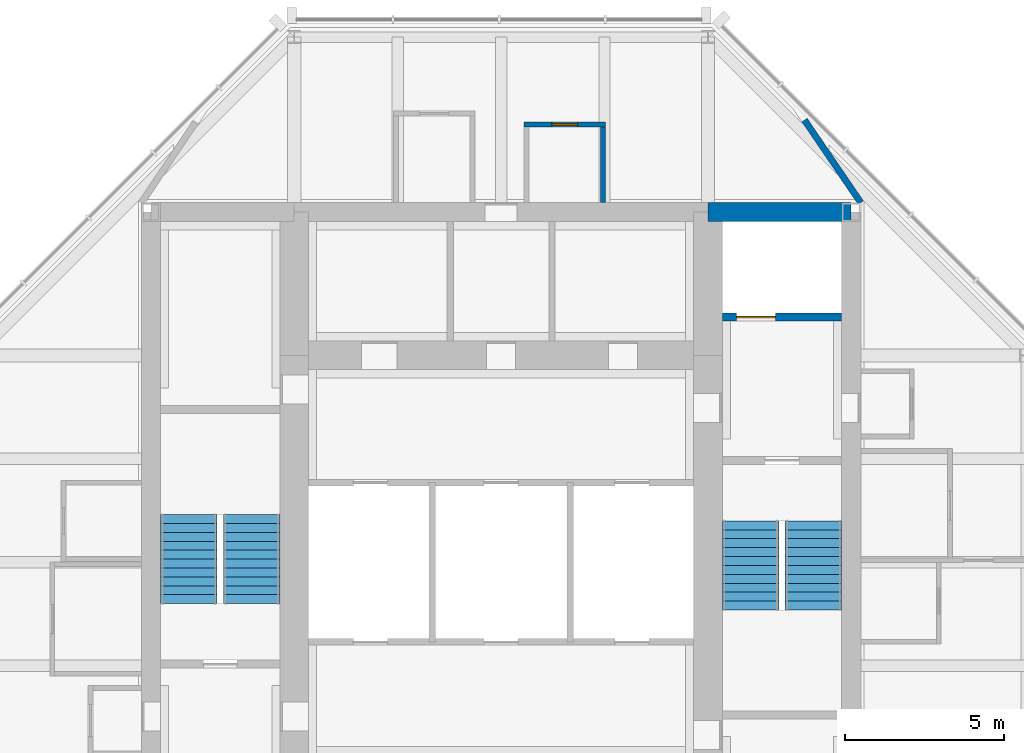
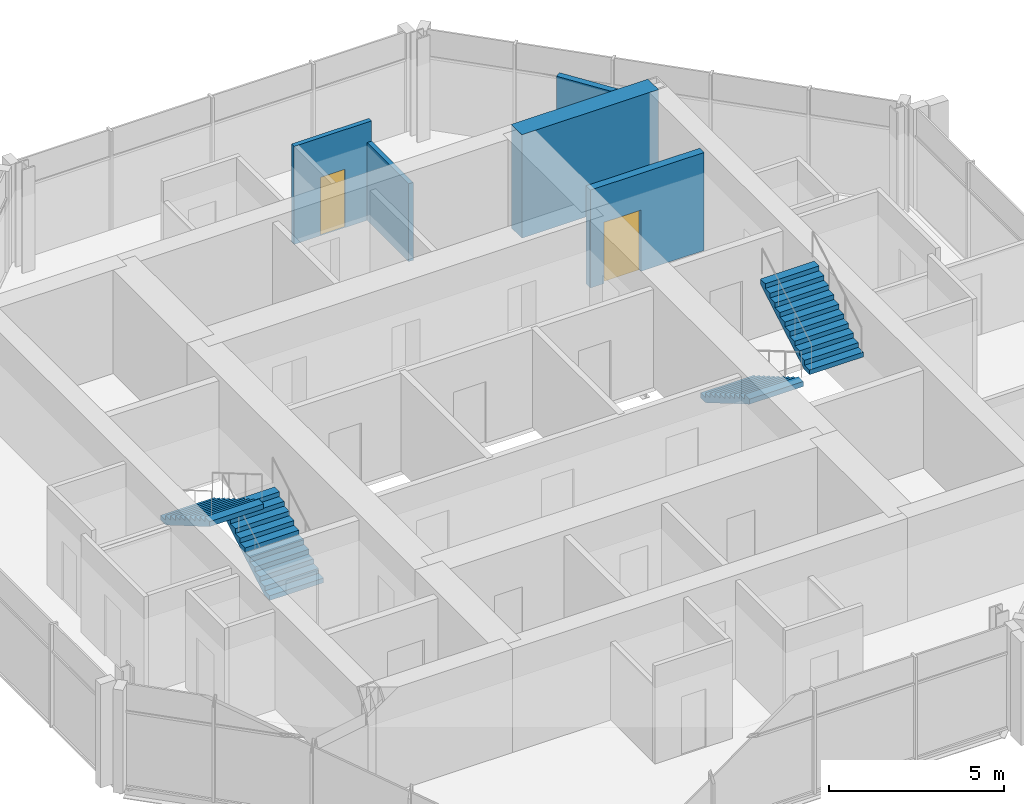
# One storey, part 7 of 8: 5 walls, 4 stair flights, 2 doors, 2 openings, 2 elements without a shape of their own.
"""IFC4 building model written with IfcOpenShell, lengths in metres."""

from ifc_helpers import new_model, si_unit, direction, frame, frame_2d, origin, place, context, subcontext, project, spatial, polyline, rectangle, outline, extrude, material, layer, layer_set, type_object, element, fill, aggregate, save


model = new_model("IFC4")

# Units and contexts
model_context = context("Model", 3, precision=1e-05, world=origin(), true_north=direction((0.0, 1.0)))
body_context = subcontext(model_context, "Body", "Model", "MODEL_VIEW")
ifc_project = project(units=[si_unit("LENGTHUNIT", "METRE"), si_unit("AREAUNIT", "SQUARE_METRE"), si_unit("VOLUMEUNIT", "CUBIC_METRE"), si_unit("PLANEANGLEUNIT", "RADIAN"), si_unit("MASSUNIT", "GRAM", prefix="KILO")], contexts=[model_context])

# Site, building, storey
site_placement = place(None, origin())
site = spatial("IfcSite", under=ifc_project, at=site_placement, CompositionType="ELEMENT")
building_placement = place(site_placement, origin())
building = spatial("IfcBuilding", under=site, at=building_placement, Name="Trevanion Tower", CompositionType="ELEMENT")
storey_placement = place(building_placement, frame((0.0, 0.0, 274.0)))
storey = spatial("IfcBuildingStorey", under=building, at=storey_placement, Name="L67", CompositionType="ELEMENT", Elevation=274.0)

# Wall
ifc_material_1 = material(Name="Concrete 10,000 psi", Category="concrete")
ifc_layer_1 = layer(ifc_material_1, 0.60009765625)
ifc_layer_set_1 = layer_set([ifc_layer_1], Name="CW1 core wall 600")
wall_type_1 = type_object("IfcWallType", Name="CW1 core wall 600", PredefinedType="SHEAR", material=ifc_layer_set_1)
wall_1_placement = place(storey_placement, frame((11.0, 11.0, 0.0), z_axis=(0.0, 0.0, 1.0), x_axis=(-1.0, 0.0, 0.0)))
element("IfcWall", 1, at=wall_1_placement, inside=storey, type_object=wall_type_1, Name="CW1 CN1 L67", PredefinedType="SHEAR", context=body_context, shape_type="SweptSolid", body=[
    extrude(rectangle(XDim=4.5, YDim=0.60009765625, at=frame_2d((2.25, 0.0))), origin(), (0.0, 0.0, 1.0), 3.60009765625),
])

# Wall, opening, door
ifc_material_2 = material(Name="Gypsum board on steel studs", Category="steel")
ifc_layer_2 = layer(ifc_material_2, 0.14990234375)
ifc_layer_set_2 = layer_set([ifc_layer_2], Name="PT1 partition 150")
wall_type_2 = type_object("IfcWallType", Name="PT1 partition 150", PredefinedType="PARTITIONING", material=ifc_layer_set_2)
wall_2_placement = place(storey_placement, frame((3.27490234375, 13.75, 0.0), z_axis=(0.0, 0.0, 1.0), x_axis=(-1.0, 0.0, 0.0)))
wall_2 = element("IfcWall", 2, at=wall_2_placement, inside=storey, type_object=wall_type_2, Name="PT1 L67 RNTF", PredefinedType="PARTITIONING", context=body_context, shape_type="SweptSolid", body=[
    extrude(rectangle(XDim=2.5498046875, YDim=0.14990234375, at=frame_2d((1.27490234375, 0.0))), origin(), (0.0, 0.0, 1.0), 3.409912109375),
])
opening_1_placement = place(wall_2_placement, frame((0.868408203125, 0.0, 0.0)))
opening_1 = element("IfcOpeningElement", 3, at=opening_1_placement, cuts=wall_2, Name="Opening 67-031", PredefinedType="OPENING", context=body_context, shape_type="SweptSolid", body=[
    extrude(rectangle(XDim=0.81298828125, YDim=2.031982421875, at=frame_2d((0.406494140625, 1.01611328125))), frame((0.0, 0.0849609375, 0.0), z_axis=(0.0, -1.0, 0.0), x_axis=(1.0, 0.0, 0.0)), (0.0, 0.0, 1.0), 0.169921875),
])
ifc_material_3 = material(Name="Timber veneer", Category="wood")
door_type_1 = type_object("IfcDoorType", Name="D14 residence bathroom door", OperationType="SINGLE_SWING_LEFT", PredefinedType="DOOR", material=ifc_material_3)
door_1_placement = place(opening_1_placement, origin())
door_1 = element("IfcDoor", 4, at=door_1_placement, inside=storey, type_object=door_type_1, Name="Door 67-031", OperationType="SINGLE_SWING_LEFT", OverallHeight=2.031982421875, OverallWidth=0.81298828125, PredefinedType="DOOR", context=body_context, shape_type="SweptSolid", body=[
    extrude(rectangle(XDim=0.81298828125, YDim=2.031982421875, at=frame_2d((0.406494140625, 1.01611328125))), frame((0.0, 0.02490234375, 0.0), z_axis=(0.0, -1.0, 0.0), x_axis=(1.0, 0.0, 0.0)), (0.0, 0.0, 1.0), 0.050048828125),
])
fill(opening_1, door_1)

# Walls
wall_3_placement = place(storey_placement, frame((3.199951171875, 11.300048828125, 0.0), z_axis=(0.0, 0.0, 1.0), x_axis=(0.0, 1.0, 0.0)))
element("IfcWall", 5, at=wall_3_placement, inside=storey, type_object=wall_type_2, Name="PT1 L67 RNTA", PredefinedType="PARTITIONING", context=body_context, shape_type="SweptSolid", body=[
    extrude(rectangle(XDim=2.375, YDim=0.14990234375, at=frame_2d((1.1875, 0.0))), origin(), (0.0, 0.0, 1.0), 2.708984375),
])
ifc_material_4 = material(Name="Concrete masonry, grouted", Category="masonry")
ifc_layer_3 = layer(ifc_material_4, 0.199951171875)
ifc_layer_set_3 = layer_set([ifc_layer_3], Name="PT2 partition 200 1 HR")
wall_type_3 = type_object("IfcWallType", Name="PT2 partition 200 1 HR", PredefinedType="PARTITIONING", material=ifc_layer_set_3)
wall_4_placement = place(storey_placement, frame((11.300048828125, 11.300048828125, 0.0), z_axis=(0.0, 0.0, 1.0), x_axis=(-0.563469639691, 0.826136771453, 0.0)))
element("IfcWall", 6, at=wall_4_placement, inside=storey, type_object=wall_type_3, Name="PT2 L67 UB0", PredefinedType="PARTITIONING", context=body_context, shape_type="SweptSolid", body=[
    extrude(rectangle(XDim=3.136962890625, YDim=0.199951171875, at=frame_2d((1.568359375, 0.0))), origin(), (0.0, 0.0, 1.0), 2.703857421875),
])

# Wall, opening, door
ifc_material_5 = material(Name="Concrete masonry, grouted, two-hour", Category="masonry")
ifc_layer_4 = layer(ifc_material_5, 0.25)
ifc_layer_set_4 = layer_set([ifc_layer_4], Name="PT3 partition 250 2 HR")
wall_type_4 = type_object("IfcWallType", Name="PT3 partition 250 2 HR", PredefinedType="PARTITIONING", material=ifc_layer_set_4)
wall_5_placement = place(storey_placement, frame((6.949951171875, 7.699951171875, 0.0), z_axis=(0.0, 0.0, 1.0), x_axis=(1.0, 0.0, 0.0)))
wall_5 = element("IfcWall", 7, at=wall_5_placement, inside=storey, type_object=wall_type_4, Name="PT3 L67 EP3", PredefinedType="PARTITIONING", context=body_context, shape_type="SweptSolid", body=[
    extrude(rectangle(XDim=3.75, YDim=0.25, at=frame_2d((1.875, 0.0))), origin(), (0.0, 0.0, 1.0), 3.409912109375),
])
opening_2_placement = place(wall_5_placement, frame((0.449951171875, 0.0, 0.0)))
opening_2 = element("IfcOpeningElement", 8, at=opening_2_placement, cuts=wall_5, Name="Opening 67-007", PredefinedType="OPENING", context=body_context, shape_type="SweptSolid", body=[
    extrude(rectangle(XDim=1.218994140625, YDim=2.134033203125, at=frame_2d((0.609375, 1.06689453125))), frame((0.0, 0.135009765625, 0.0), z_axis=(0.0, -1.0, 0.0), x_axis=(1.0, 0.0, 0.0)), (0.0, 0.0, 1.0), 0.27001953125),
])
ifc_material_6 = material(Name="Stainless steel, fire rated", Category="steel")
door_type_2 = type_object("IfcDoorType", Name="LD2 fire service lift landing door", OperationType="SLIDING_TO_LEFT", PredefinedType="DOOR", material=ifc_material_6)
door_2_placement = place(opening_2_placement, origin())
door_2 = element("IfcDoor", 9, at=door_2_placement, inside=storey, type_object=door_type_2, Name="Door 67-007", OperationType="SLIDING_TO_LEFT", OverallHeight=2.134033203125, OverallWidth=1.218994140625, PredefinedType="DOOR", context=body_context, shape_type="SweptSolid", body=[
    extrude(rectangle(XDim=1.218994140625, YDim=2.134033203125, at=frame_2d((0.609375, 1.06689453125))), frame((0.0, 0.02490234375, 0.0), z_axis=(0.0, -1.0, 0.0), x_axis=(1.0, 0.0, 0.0)), (0.0, 0.0, 1.0), 0.050048828125),
])
fill(opening_2, door_2)

# Stair, stair flights
ifc_material_7 = material(Name="Concrete 5,000 psi on steel stringers", Category="concrete")
stair_type = type_object("IfcStairType", Name="ST stair", PredefinedType="HALF_TURN_STAIR", material=ifc_material_7)
stair_1_placement = place(storey_placement, origin())
stair_1 = element("IfcStair", 10, at=stair_1_placement, inside=storey, type_object=stair_type, Name="ST1 L67", PredefinedType="HALF_TURN_STAIR")
ifc_material_8 = material(Name="Concrete 5,000 psi in steel pan", Category="concrete")
stair_flight_type = type_object("IfcStairFlightType", Name="STF stair flight", PredefinedType="STRAIGHT", material=ifc_material_8)
stair_flight_1_placement = place(storey_placement, frame((7.83740234375, 1.300048828125, 0.0), z_axis=(0.0, 0.0, 1.0), x_axis=(0.0, -1.0, 0.0)))
stair_flight_1 = element("IfcStairFlight", 11, at=stair_flight_1_placement, type_object=stair_flight_type, Name="ST1 flight 1", NumberOfRisers=11, NumberOfTreads=10, PredefinedType="STRAIGHT", RiserHeight=0.163636364, TreadLength=0.28, context=body_context, shape_type="SweptSolid", body=[
    extrude(outline(polyline([(0.0, 0.0), (0.0, 0.16357421875), (0.280029296875, 0.16357421875), (0.280029296875, 0.327392578125), (0.56005859375, 0.327392578125), (0.56005859375, 0.490966796875), (0.840087890625, 0.490966796875), (0.840087890625, 0.654541015625), (1.1201171875, 0.654541015625), (1.1201171875, 0.818115234375), (1.39990234375, 0.818115234375), (1.39990234375, 0.98193359375), (1.679931640625, 0.98193359375), (1.679931640625, 1.1455078125), (1.9599609375, 1.1455078125), (1.9599609375, 1.30908203125), (2.239990234375, 1.30908203125), (2.239990234375, 1.47265625), (2.52001953125, 1.47265625), (2.52001953125, 1.636474609375), (2.800048828125, 1.636474609375), (2.800048828125, 1.800048828125), (2.800048828125, 1.462646484375), (0.297119140625, 0.0), (0.0, 0.0)])), frame((0.0, 0.887451171875, 0.0), z_axis=(0.0, -1.0, 0.0), x_axis=(1.0, 0.0, 0.0)), (0.0, 0.0, 1.0), 1.77490234375),
])
stair_flight_2_placement = place(storey_placement, frame((9.8125, -1.5, 1.800048828125), z_axis=(0.0, 0.0, 1.0), x_axis=(0.0, 1.0, 0.0)))
stair_flight_2 = element("IfcStairFlight", 12, at=stair_flight_2_placement, type_object=stair_flight_type, Name="ST1 flight 2", NumberOfRisers=11, NumberOfTreads=10, PredefinedType="STRAIGHT", RiserHeight=0.163636364, TreadLength=0.28, context=body_context, shape_type="SweptSolid", body=[
    extrude(outline(polyline([(0.0, 0.0), (0.0, 0.16357421875), (0.280029296875, 0.16357421875), (0.280029296875, 0.327392578125), (0.56005859375, 0.327392578125), (0.56005859375, 0.490966796875), (0.840087890625, 0.490966796875), (0.840087890625, 0.654541015625), (1.1201171875, 0.654541015625), (1.1201171875, 0.818115234375), (1.39990234375, 0.818115234375), (1.39990234375, 0.98193359375), (1.679931640625, 0.98193359375), (1.679931640625, 1.1455078125), (1.9599609375, 1.1455078125), (1.9599609375, 1.30908203125), (2.239990234375, 1.30908203125), (2.239990234375, 1.47265625), (2.52001953125, 1.47265625), (2.52001953125, 1.636474609375), (2.800048828125, 1.636474609375), (2.800048828125, 1.800048828125), (2.800048828125, 1.462646484375), (0.297119140625, 0.0), (0.0, 0.0)])), frame((0.0, 0.887451171875, 0.0), z_axis=(0.0, -1.0, 0.0), x_axis=(1.0, 0.0, 0.0)), (0.0, 0.0, 1.0), 1.77490234375),
])
aggregate(stair_1, [stair_flight_1, stair_flight_2])

stair_2_placement = place(storey_placement, origin())
stair_2 = element("IfcStair", 13, at=stair_2_placement, inside=storey, type_object=stair_type, Name="ST2 L67", PredefinedType="HALF_TURN_STAIR")
stair_flight_3_placement = place(storey_placement, frame((-7.83740234375, -1.300048828125, 0.0), z_axis=(0.0, 0.0, 1.0), x_axis=(0.0, 1.0, 0.0)))
stair_flight_3 = element("IfcStairFlight", 14, at=stair_flight_3_placement, type_object=stair_flight_type, Name="ST2 flight 1", NumberOfRisers=11, NumberOfTreads=10, PredefinedType="STRAIGHT", RiserHeight=0.163636364, TreadLength=0.28, context=body_context, shape_type="SweptSolid", body=[
    extrude(outline(polyline([(0.0, 0.0), (0.0, 0.16357421875), (0.280029296875, 0.16357421875), (0.280029296875, 0.327392578125), (0.56005859375, 0.327392578125), (0.56005859375, 0.490966796875), (0.840087890625, 0.490966796875), (0.840087890625, 0.654541015625), (1.1201171875, 0.654541015625), (1.1201171875, 0.818115234375), (1.39990234375, 0.818115234375), (1.39990234375, 0.98193359375), (1.679931640625, 0.98193359375), (1.679931640625, 1.1455078125), (1.9599609375, 1.1455078125), (1.9599609375, 1.30908203125), (2.239990234375, 1.30908203125), (2.239990234375, 1.47265625), (2.52001953125, 1.47265625), (2.52001953125, 1.636474609375), (2.800048828125, 1.636474609375), (2.800048828125, 1.800048828125), (2.800048828125, 1.462646484375), (0.297119140625, 0.0), (0.0, 0.0)])), frame((0.0, 0.887451171875, 0.0), z_axis=(0.0, -1.0, 0.0), x_axis=(1.0, 0.0, 0.0)), (0.0, 0.0, 1.0), 1.77490234375),
])
stair_flight_4_placement = place(storey_placement, frame((-9.8125, 1.5, 1.800048828125), z_axis=(0.0, 0.0, 1.0), x_axis=(0.0, -1.0, 0.0)))
stair_flight_4 = element("IfcStairFlight", 15, at=stair_flight_4_placement, type_object=stair_flight_type, Name="ST2 flight 2", NumberOfRisers=11, NumberOfTreads=10, PredefinedType="STRAIGHT", RiserHeight=0.163636364, TreadLength=0.28, context=body_context, shape_type="SweptSolid", body=[
    extrude(outline(polyline([(0.0, 0.0), (0.0, 0.16357421875), (0.280029296875, 0.16357421875), (0.280029296875, 0.327392578125), (0.56005859375, 0.327392578125), (0.56005859375, 0.490966796875), (0.840087890625, 0.490966796875), (0.840087890625, 0.654541015625), (1.1201171875, 0.654541015625), (1.1201171875, 0.818115234375), (1.39990234375, 0.818115234375), (1.39990234375, 0.98193359375), (1.679931640625, 0.98193359375), (1.679931640625, 1.1455078125), (1.9599609375, 1.1455078125), (1.9599609375, 1.30908203125), (2.239990234375, 1.30908203125), (2.239990234375, 1.47265625), (2.52001953125, 1.47265625), (2.52001953125, 1.636474609375), (2.800048828125, 1.636474609375), (2.800048828125, 1.800048828125), (2.800048828125, 1.462646484375), (0.297119140625, 0.0), (0.0, 0.0)])), frame((0.0, 0.887451171875, 0.0), z_axis=(0.0, -1.0, 0.0), x_axis=(1.0, 0.0, 0.0)), (0.0, 0.0, 1.0), 1.77490234375),
])
aggregate(stair_2, [stair_flight_3, stair_flight_4])

save(model, "model.ifc")
